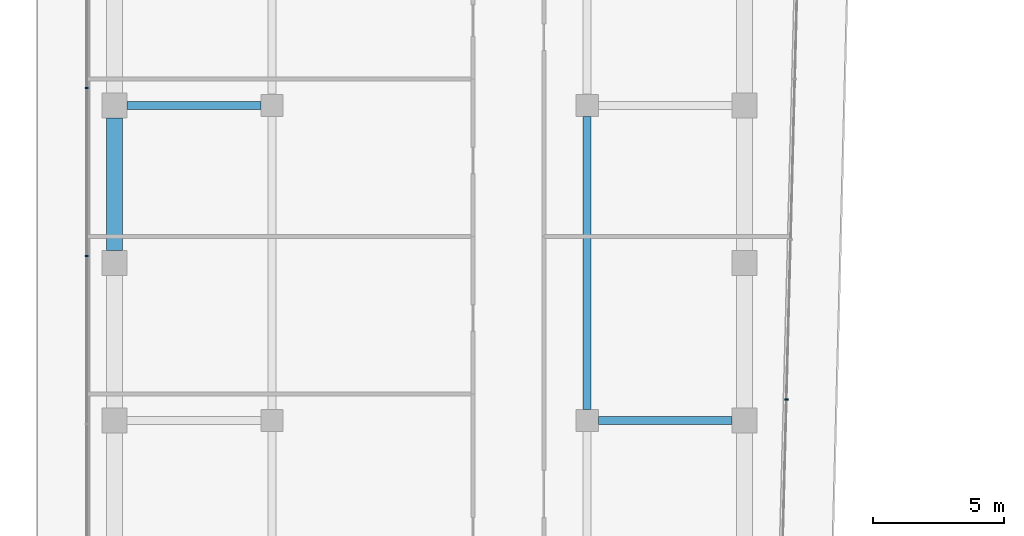
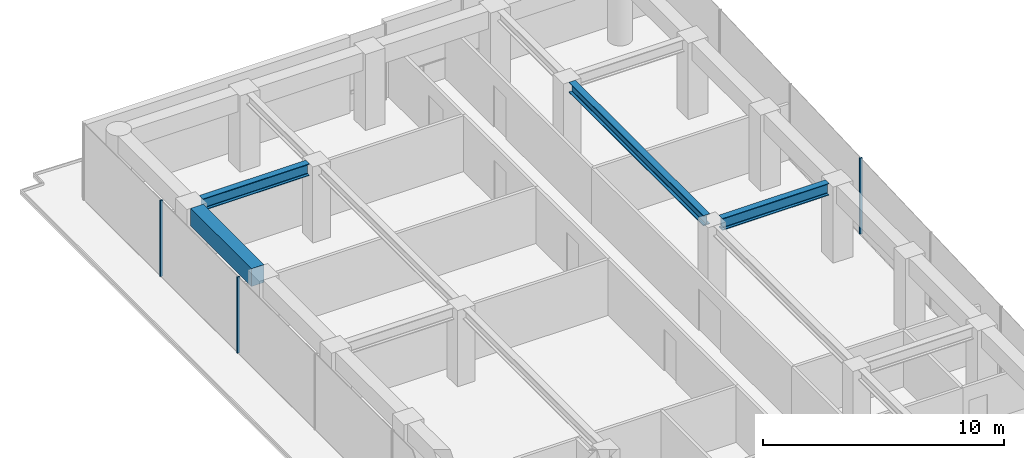
# One storey, part 17 of 28: 4 beams, 3 members, 2 elements without a shape of their own.
"""IFC4 building model written with IfcOpenShell, lengths in metres."""

from ifc_helpers import new_model, si_unit, direction, frame, origin, origin_2d, place, context, subcontext, project, spatial, rectangle, i_section, extrude, material, layer, layer_set, material_profile, profile_set, type_object, element, aggregate, save


model = new_model("IFC4")

# Units and contexts
model_context = context("Model", 3, precision=1e-05, world=origin(), true_north=direction((0.0, 1.0)))
body_context = subcontext(model_context, "Body", "Model", "MODEL_VIEW")
ifc_project = project(units=[si_unit("LENGTHUNIT", "METRE"), si_unit("AREAUNIT", "SQUARE_METRE"), si_unit("VOLUMEUNIT", "CUBIC_METRE"), si_unit("PLANEANGLEUNIT", "RADIAN"), si_unit("MASSUNIT", "GRAM", prefix="KILO")], contexts=[model_context])

# Site, building, storey
site_placement = place(None, origin())
site = spatial("IfcSite", under=ifc_project, at=site_placement, CompositionType="ELEMENT")
building_placement = place(site_placement, origin())
building = spatial("IfcBuilding", under=site, at=building_placement, Name="Welwitschia Terrace Campus", CompositionType="ELEMENT")
storey_placement = place(building_placement, frame((0.0, 0.0, 45.800048828125)))
storey = spatial("IfcBuildingStorey", under=building, at=storey_placement, Name="L10", CompositionType="ELEMENT", Elevation=45.800048828125)

# Beam
ifc_material_1 = material(Name="Steel S355", Category="steel")
ifc_material_profile_1 = material_profile(ifc_material_1, i_section(OverallWidth=0.305908203125, OverallDepth=0.52392578125, WebThickness=0.02099609375, FlangeThickness=0.0400390625, FilletRadius=0.027099609375, at=origin_2d()))
ifc_profile_set_1 = profile_set([ifc_material_profile_1], Name="Steel S355")
beam_type_1 = type_object("IfcBeamType", Name="Interior girder HE 500 M", PredefinedType="BEAM", material=ifc_profile_set_1)
beam_1_placement = place(storey_placement, frame((18.0, 44.425537109375, 3.587890625), z_axis=(0.0, 1.0, 0.0), x_axis=(-1.0, 0.0, 0.0)))
element("IfcBeam", 1, at=beam_1_placement, inside=storey, type_object=beam_type_1, Name="Girder GB2", PredefinedType="BEAM", context=body_context, shape_type="SweptSolid", body=[
    extrude(i_section(OverallWidth=0.305908203125, OverallDepth=0.52392578125, WebThickness=0.02099609375, FlangeThickness=0.0400390625, FilletRadius=0.027099609375, at=origin_2d()), origin(), (0.0, 0.0, 1.0), 11.14892578125),
])

# Curtain wall, member
ifc_material_2 = material(Name="Bronze anodised aluminium", Category="aluminium")
ifc_layer = layer(ifc_material_2, 0.1201171875)
ifc_layer_set = layer_set([ifc_layer], Name="Bronze anodised aluminium")
curtain_wall_type = type_object("IfcCurtainWallType", Name="Curtain wall CW2 tower 6000", PredefinedType="NOTDEFINED", material=ifc_layer_set)
curtain_wall_1_placement = place(storey_placement, origin())
curtain_wall_1 = element("IfcCurtainWall", 2, at=curtain_wall_1_placement, inside=storey, type_object=curtain_wall_type, Name="CW L10.9.0", PredefinedType="NOTDEFINED")
ifc_material_3 = material(Name="Bronze anodised aluminium", Category="aluminium")
ifc_material_profile_2 = material_profile(ifc_material_3, rectangle(XDim=0.1201171875, YDim=0.06005859375, at=origin_2d()))
ifc_profile_set_2 = profile_set([ifc_material_profile_2], Name="Bronze anodised aluminium")
member_type = type_object("IfcMemberType", Name="Mullion 60x120", PredefinedType="MULLION", material=ifc_profile_set_2)
member_1_placement = place(storey_placement, frame((25.594482421875, 44.799072265625, 0.0), z_axis=(0.0, 0.0, 1.0), x_axis=(-0.999657324976, 0.026176948308, 0.0)))
member_1 = element("IfcMember", 3, at=member_1_placement, type_object=member_type, Name="Mullion L10.9.0.3", PredefinedType="MULLION", context=body_context, shape_type="SweptSolid", body=[
    extrude(rectangle(XDim=0.1201171875, YDim=0.06005859375, at=origin_2d()), origin(), (0.0, 0.0, 1.0), 3.849853515625),
])
aggregate(curtain_wall_1, [member_1])

# Curtain wall, members
curtain_wall_2_placement = place(storey_placement, origin())
curtain_wall_2 = element("IfcCurtainWall", 4, at=curtain_wall_2_placement, inside=storey, type_object=curtain_wall_type, Name="CW L10.11.0", PredefinedType="NOTDEFINED")
member_2_placement = place(storey_placement, frame((-1.05810546875, 56.65625, 0.0), z_axis=(0.0, 0.0, 1.0), x_axis=(1.0, 0.0, 0.0)))
member_2 = element("IfcMember", 5, at=member_2_placement, type_object=member_type, Name="Mullion L10.11.0.1", PredefinedType="MULLION", context=body_context, shape_type="SweptSolid", body=[
    extrude(rectangle(XDim=0.1201171875, YDim=0.06005859375, at=origin_2d()), origin(), (0.0, 0.0, 1.0), 3.849853515625),
])
member_3_placement = place(storey_placement, frame((-1.05810546875, 50.256103515625, 0.0), z_axis=(0.0, 0.0, 1.0), x_axis=(1.0, 0.0, 0.0)))
member_3 = element("IfcMember", 6, at=member_3_placement, type_object=member_type, Name="Mullion L10.11.0.2", PredefinedType="MULLION", context=body_context, shape_type="SweptSolid", body=[
    extrude(rectangle(XDim=0.1201171875, YDim=0.06005859375, at=origin_2d()), origin(), (0.0, 0.0, 1.0), 3.849853515625),
])
aggregate(curtain_wall_2, [member_2, member_3])

# Beams
ifc_material_4 = material(Name="Steel S355", Category="steel")
ifc_material_profile_3 = material_profile(ifc_material_4, i_section(OverallWidth=0.300048828125, OverallDepth=0.60009765625, WebThickness=0.015380859375, FlangeThickness=0.030029296875, FilletRadius=0.027099609375, at=origin_2d()))
ifc_profile_set_3 = profile_set([ifc_material_profile_3], Name="Steel S355")
beam_type_2 = type_object("IfcBeamType", Name="Primary beam HE 600 B", PredefinedType="BEAM", material=ifc_profile_set_3)
for number, where, z_axis, x_axis, name in (
    (7, (23.5244140625, 44.0, 3.550048828125), (-1.0, 0.0, 0.0), (0.0, -1.0, 0.0), "Primary beam PB2"),
    (8, (0.4755859375, 56.0, 3.550048828125), (1.0, 0.0, 0.0), (0.0, 1.0, 0.0), "Primary beam PB2"),
):
    element("IfcBeam", number, at=place(storey_placement, frame(where, z_axis=z_axis, x_axis=x_axis)), inside=storey, type_object=beam_type_2, Name=name, PredefinedType="BEAM", context=body_context, shape_type="SweptSolid", body=[
        extrude(i_section(OverallWidth=0.300048828125, OverallDepth=0.60009765625, WebThickness=0.015380859375, FlangeThickness=0.030029296875, FilletRadius=0.027099609375, at=origin_2d()), origin(), (0.0, 0.0, 1.0), 5.098876953125),
    ])
ifc_material_5 = material(Name="Concrete C60/75", Category="concrete")
ifc_material_profile_4 = material_profile(ifc_material_5, rectangle(XDim=0.60009765625, YDim=0.89990234375, at=origin_2d()))
ifc_profile_set_4 = profile_set([ifc_material_profile_4], Name="Concrete C60/75")
beam_type_3 = type_object("IfcBeamType", Name="Ring spandrel 600x900", PredefinedType="SPANDREL", material=ifc_profile_set_4)
beam_2_placement = place(storey_placement, frame((0.0, 55.5244140625, 3.39990234375), z_axis=(0.0, -1.0, 0.0), x_axis=(1.0, 0.0, 0.0)))
element("IfcBeam", 9, at=beam_2_placement, inside=storey, type_object=beam_type_3, Name="Spandrel SP2", PredefinedType="SPANDREL", context=body_context, shape_type="SweptSolid", body=[
    extrude(rectangle(XDim=0.60009765625, YDim=0.89990234375, at=origin_2d()), origin(), (0.0, 0.0, 1.0), 5.048828125),
])

save(model, "model.ifc")
